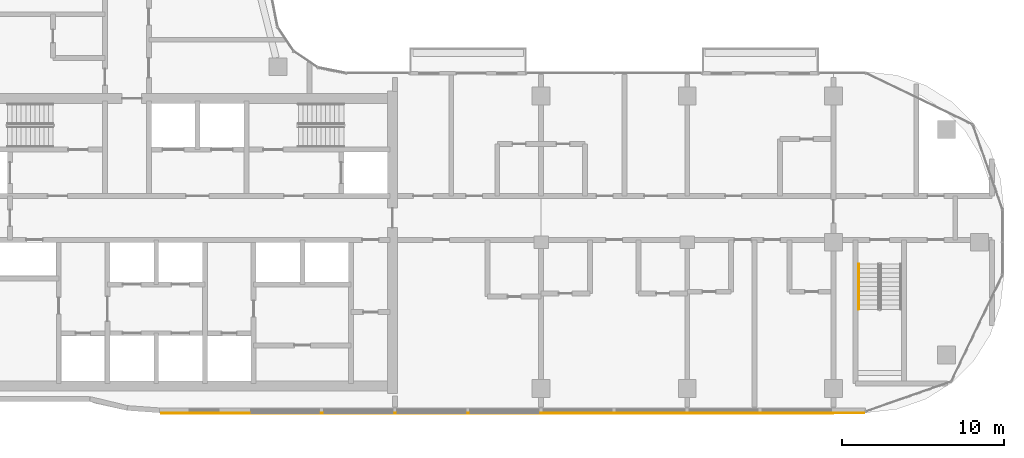
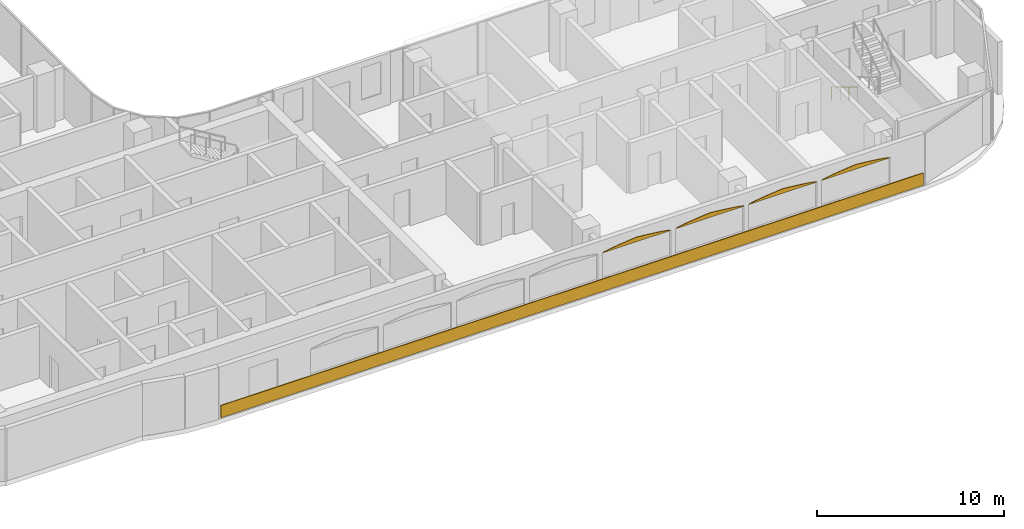
# One storey, part 19 of 22: 5 coverings, 1 railing.
"""IFC4 building model written with IfcOpenShell, lengths in metres."""

import ifcopenshell
import ifcopenshell.guid

model = None  # the IFC model being written
_history = None  # IfcOwnerHistory: only IFC2X3 demands one
_inside = {}  # id of a spatial element -> (the spatial element, [elements in it])
_under = {}  # id of a project, library or spatial element -> (it, [spatial elements below it])
_declared = {}  # id of a project -> (the project, [libraries it declares])
_typed = {}  # id of a type object -> (the type object, [elements of that type])
_made_of = {}  # id of a material, layer set ... -> (it, [elements and type objects made of it])


def new_model(schema):
    """Start an empty IFC model of exactly this schema.

    Asked for "IFC4X3", IfcOpenShell would pick the latest addendum, in which some entities
    have other attributes; the version numbers below select the first issue.
    IFC2X3 requires an IfcOwnerHistory on every rooted entity: one is made here for all.
    """
    global model, _history
    if schema == "IFC4X3":
        model = ifcopenshell.file(schema_version=(4, 3, 0, 0))
    else:
        model = ifcopenshell.file(schema=schema)
    _inside.clear()
    _under.clear()
    _declared.clear()
    _typed.clear()
    _made_of.clear()
    _history = None
    if model.schema == "IFC2X3":
        org = make("IfcOrganization", Name="unknown")
        user = make(
            "IfcPersonAndOrganization",
            ThePerson=make("IfcPerson", FamilyName="unknown"),
            TheOrganization=org,
        )
        app = make(
            "IfcApplication",
            ApplicationDeveloper=org,
            Version="unknown",
            ApplicationFullName="unknown",
            ApplicationIdentifier="unknown",
        )
        _history = make(
            "IfcOwnerHistory",
            OwningUser=user,
            OwningApplication=app,
            ChangeAction="ADDED",
            CreationDate=0,
        )
    return model


def make(cls, **values):
    """One entity of the class cls with the attributes given. An attribute that is None is left unset."""
    return model.create_entity(
        cls, **{name: value for name, value in values.items() if value is not None}
    )


def rooted(cls, **values):
    """An entity with a GlobalId (a new one), such as an element, a storey or a relation."""
    return make(cls, GlobalId=ifcopenshell.guid.new(), OwnerHistory=_history, **values)


def si_unit(unit_type, name, prefix=None):
    """IfcSIUnit, for example si_unit("LENGTHUNIT", "METRE", prefix="MILLI")."""
    return make("IfcSIUnit", UnitType=unit_type, Prefix=prefix, Name=name)


def assignment(units):
    """IfcUnitAssignment: the units of a project."""
    return None if units is None else make("IfcUnitAssignment", Units=units)


def point(xyz):
    """IfcCartesianPoint."""
    return None if xyz is None else make("IfcCartesianPoint", Coordinates=xyz)


def direction(xyz):
    """IfcDirection."""
    return None if xyz is None else make("IfcDirection", DirectionRatios=xyz)


def frame(location, z_axis=None, x_axis=None):
    """IfcAxis2Placement3D, a coordinate frame: its origin and axes. An axis left out is left unset."""
    return make(
        "IfcAxis2Placement3D",
        Location=point(location),
        Axis=direction(z_axis),
        RefDirection=direction(x_axis),
    )


def frame_2d(location, x_axis=None):
    """IfcAxis2Placement2D, a coordinate frame in the plane: its origin and x axis."""
    return make(
        "IfcAxis2Placement2D", Location=point(location), RefDirection=direction(x_axis)
    )


def origin():
    """The frame at (0, 0, 0) with its axes left unset."""
    return frame((0.0, 0.0, 0.0))


def origin_2d():
    """The frame at (0, 0) in the plane with its x axis left unset."""
    return frame_2d((0.0, 0.0))


def place(relative_to, where):
    """IfcLocalPlacement: puts the frame where relative to a parent placement (None: the world)."""
    return make(
        "IfcLocalPlacement", PlacementRelTo=relative_to, RelativePlacement=where
    )


def context(
    kind, dimensions, precision=None, world=None, true_north=None, identifier=None
):
    """IfcGeometricRepresentationContext, for example the 3D "Model" context."""
    return make(
        "IfcGeometricRepresentationContext",
        ContextIdentifier=identifier,
        ContextType=kind,
        CoordinateSpaceDimension=dimensions,
        Precision=precision,
        WorldCoordinateSystem=world,
        TrueNorth=true_north,
    )


def subcontext(parent, identifier, kind, view, scale=None):
    """IfcGeometricRepresentationSubContext, for example "Body" below "Model"."""
    return make(
        "IfcGeometricRepresentationSubContext",
        ContextIdentifier=identifier,
        ContextType=kind,
        ParentContext=parent,
        TargetScale=scale,
        TargetView=view,
    )


def project(units=None, contexts=None):
    """IfcProject with its units and contexts."""
    return rooted(
        "IfcProject",
        Name="project",
        RepresentationContexts=contexts,
        UnitsInContext=assignment(units),
    )


def spatial(cls, under=None, at=None, **own):
    """A site, building, storey or space (cls), placed at a placement, below another one or the project."""
    s = rooted(cls, ObjectPlacement=at, **own)
    if under is not None:
        _under.setdefault(under.id(), (under, []))[1].append(s)
    return s


def polyline(points):
    """IfcPolyline through the points."""
    return make("IfcPolyline", Points=[point(p) for p in points])


def profile(cls, at=None, kind="AREA", **sizes):
    """A parametric profile (cls). Its sizes go by their IFC names, for example OverallWidth=200.0."""
    return make(cls, ProfileType=kind, Position=at, **sizes)


def rectangle(**sizes):
    """IfcRectangleProfileDef."""
    return profile("IfcRectangleProfileDef", **sizes)


def circle(**sizes):
    """IfcCircleProfileDef."""
    return profile("IfcCircleProfileDef", **sizes)


def outline(outer, holes=None, kind="AREA"):
    """IfcArbitraryClosedProfileDef: a profile drawn as a closed curve; with holes, ...WithVoids."""
    if holes is None:
        return make("IfcArbitraryClosedProfileDef", ProfileType=kind, OuterCurve=outer)
    return make(
        "IfcArbitraryProfileDefWithVoids",
        ProfileType=kind,
        OuterCurve=outer,
        InnerCurves=holes,
    )


def extrude(swept, where, along, depth):
    """IfcExtrudedAreaSolid: the profile swept, set in the frame where, extruded along a direction by depth."""
    return make(
        "IfcExtrudedAreaSolid",
        SweptArea=swept,
        Position=where,
        ExtrudedDirection=direction(along),
        Depth=depth,
    )


def shape(context_of_items, identifier, shape_type, items):
    """IfcShapeRepresentation: the items that make up one representation, for example the "Body"."""
    return make(
        "IfcShapeRepresentation",
        ContextOfItems=context_of_items,
        RepresentationIdentifier=identifier,
        RepresentationType=shape_type,
        Items=items,
    )


def material(Name=None, Category=None):
    """IfcMaterial."""
    return make("IfcMaterial", Name=Name, Category=Category)


def layer(
    of_material, thickness, ventilated=None, Name=None, Category=None, Priority=None
):
    """IfcMaterialLayer: one layer of a wall or slab, of a material (None: an air gap)."""
    return make(
        "IfcMaterialLayer",
        Material=of_material,
        LayerThickness=thickness,
        IsVentilated=ventilated,
        Name=Name,
        Category=Category,
        Priority=Priority,
    )


def layer_set(layers, Name=None):
    """IfcMaterialLayerSet."""
    return make("IfcMaterialLayerSet", MaterialLayers=layers, LayerSetName=Name)


def made_of(thing, what):
    """Note that an element or type object is made of a material, layer set ...; save() writes the relation."""
    if what is not None:
        _made_of.setdefault(what.id(), (what, []))[1].append(thing)
    return thing


def type_object(cls, material=None, **own):
    """A type object (cls), such as IfcWallType, which elements share."""
    return made_of(rooted(cls, **own), material)


def element(
    cls,
    number,
    at=None,
    inside=None,
    cuts=None,
    type_object=None,
    material=None,
    context=None,
    identifier="Body",
    shape_type=None,
    held_by="IfcProductDefinitionShape",
    body=None,
    shapes=None,
    **own,
):
    """One element of the class cls, such as IfcWall. Its Tag is "e" and its number.

    at: its placement. inside: the storey or other place that contains it. cuts: it is an
    opening in that element (IfcRelVoidsElement). A single representation is given by context,
    identifier, shape_type and body (its items); several are given by shapes. held_by: the class
    of the entity that holds the representations. save() writes the other relations.
    """
    e = rooted(cls, Tag="e%d" % number, ObjectPlacement=at, **own)
    if body is not None:
        shapes = [shape(context, identifier, shape_type, body)]
    if shapes is not None:
        e.Representation = make(held_by, Representations=shapes)
    if inside is not None:
        _inside.setdefault(inside.id(), (inside, []))[1].append(e)
    if cuts is not None:
        rooted(
            "IfcRelVoidsElement", RelatingBuildingElement=cuts, RelatedOpeningElement=e
        )
    if type_object is not None:
        _typed.setdefault(type_object.id(), (type_object, []))[1].append(e)
    return made_of(e, material)


def aggregate(whole, parts):
    """IfcRelAggregates: a whole, such as a stair, and the parts it consists of."""
    return rooted("IfcRelAggregates", RelatingObject=whole, RelatedObjects=parts)


def save(model, path):
    """Write the relations noted so far, then the file.

    IfcRelAggregates (storeys below a building ...), IfcRelContainedInSpatialStructure (elements
    in a storey), IfcRelDefinesByType, IfcRelAssociatesMaterial and IfcRelDeclares: one each for
    every whole, place, type object, material and project.
    """
    for whole, parts in _under.values():
        aggregate(whole, parts)
    for where, things in _inside.values():
        rooted(
            "IfcRelContainedInSpatialStructure",
            RelatedElements=things,
            RelatingStructure=where,
        )
    for kind, things in _typed.values():
        rooted("IfcRelDefinesByType", RelatedObjects=things, RelatingType=kind)
    for what, things in _made_of.values():
        rooted("IfcRelAssociatesMaterial", RelatedObjects=things, RelatingMaterial=what)
    for by, libraries in _declared.values():
        rooted("IfcRelDeclares", RelatingContext=by, RelatedDefinitions=libraries)
    model.write(path)


model = new_model("IFC4")

# Units and contexts
model_context = context("Model", 3, precision=1e-05, world=origin(), true_north=direction((0.0, 1.0)))
body_context = subcontext(model_context, "Body", "Model", "MODEL_VIEW")
ifc_project = project(units=[si_unit("LENGTHUNIT", "METRE"), si_unit("AREAUNIT", "SQUARE_METRE"), si_unit("VOLUMEUNIT", "CUBIC_METRE"), si_unit("PLANEANGLEUNIT", "RADIAN"), si_unit("MASSUNIT", "GRAM", prefix="KILO")], contexts=[model_context])

# Site, building, storey
site_placement = place(None, origin())
site = spatial("IfcSite", under=ifc_project, at=site_placement, CompositionType="ELEMENT")
building_placement = place(site_placement, origin())
building = spatial("IfcBuilding", under=site, at=building_placement, Name="Ogive Portal Towers", CompositionType="ELEMENT")
storey_placement = place(building_placement, frame((0.0, 0.0, 145.89990234375)))
storey = spatial("IfcBuildingStorey", under=building, at=storey_placement, Name="L35", CompositionType="ELEMENT", Elevation=145.89990234375)

# Railing
ifc_material_1 = material(Name="Stainless steel handrail", Category="steel")
railing_type = type_object("IfcRailingType", Name="INT-HANDRAIL", PredefinedType="HANDRAIL", material=ifc_material_1)
railing_placement = place(storey_placement, frame((87.050048828125, 29.169921875, 0.168212890625)))
element("IfcRailing", 1, at=railing_placement, inside=storey, type_object=railing_type, Name="L35 ST-A4 stair handrail 1", PredefinedType="HANDRAIL", context=body_context, shape_type="SweptSolid", body=[
    extrude(circle(Radius=0.02392578125, at=origin_2d()), frame((0.0, 0.0, 0.8759765625), z_axis=(0.0, -0.857222391501, 0.514946377315), x_axis=(1.0, 0.0, 0.0)), (0.0, 0.0, 1.0), 3.26611328125),
    extrude(circle(Radius=0.02099609375, at=origin_2d()), origin(), (0.0, 0.0, 1.0), 0.851806640625),
    extrude(circle(Radius=0.02099609375, at=origin_2d()), frame((0.0, -0.933349609375, 0.560546875)), (0.0, 0.0, 1.0), 0.851806640625),
    extrude(circle(Radius=0.02099609375, at=origin_2d()), frame((0.0, -1.866455078125, 1.121337890625)), (0.0, 0.0, 1.0), 0.851806640625),
    extrude(circle(Radius=0.02099609375, at=origin_2d()), frame((0.0, -2.7998046875, 1.681884765625)), (0.0, 0.0, 1.0), 0.851806640625),
])

# Coverings
ifc_material_2 = material(Name="Limestone cladding on lightweight block wall", Category="masonry")
ifc_layer_1 = layer(ifc_material_2, 0.0400390625)
ifc_layer_set_1 = layer_set([ifc_layer_1], Name="LANCET HEAD STONE")
covering_type_1 = type_object("IfcCoveringType", Name="LANCET HEAD STONE", PredefinedType="CLADDING", material=ifc_layer_set_1)
for number, where, z_axis, x_axis, name in (
    (2, (67.64990234375, 20.0, 2.60009765625), (0.0, 0.999948944021, 0.010104917167), (1.0, 0.0, 0.0), "Lancet head"),
    (3, (72.14990234375, 20.0, 2.60009765625), (0.0, 0.999948944021, 0.010104917167), (1.0, 0.0, 0.0), "Lancet head"),
    (4, (76.64990234375, 20.0, 2.60009765625), (0.0, 0.999948944021, 0.010104917167), (1.0, 0.0, 0.0), "Lancet head"),
    (5, (81.14990234375, 20.0, 2.60009765625), (0.0, 0.999948944021, 0.010104917167), (1.0, 0.0, 0.0), "Lancet head"),
):
    element("IfcCovering", number, at=place(storey_placement, frame(where, z_axis=z_axis, x_axis=x_axis)), inside=storey, type_object=covering_type_1, Name=name, PredefinedType="CLADDING", context=body_context, shape_type="SweptSolid", body=[
        extrude(outline(polyline([(0.0, 0.0), (4.2001953125, 0.0), (4.107177734375, -0.03760067070644378), (3.9375, -0.07495474623193346), (3.7177734375, -0.11255541693837724), (3.45751953125, -0.14990949246386692), (3.162353515625, -0.1875101631703107), (2.836181640625, -0.2251083668559618), (2.481201171875, -0.26246490940224415), (2.10009765625, -0.30006311308789524), (1.718994140625, -0.26246490940224415), (1.364013671875, -0.2251083668559618), (1.037841796875, -0.1875101631703107), (0.74267578125, -0.14990949246386692), (0.482421875, -0.11255541693837724), (0.2626953125, -0.07495474623193346), (0.093017578125, -0.03760067070644378), (0.0, 0.0)])), origin(), (0.0, 0.0, -1.0), 0.0400390625),
    ])
ifc_layer_2 = layer(ifc_material_2, 0.050048828125)
ifc_layer_set_2 = layer_set([ifc_layer_2], Name="SCREEN PERFORATED STONE")
covering_type_2 = type_object("IfcCoveringType", Name="SCREEN PERFORATED STONE", PredefinedType="CLADDING", material=ifc_layer_set_2)
covering_placement = place(storey_placement, frame((65.74853515625, 19.97509765625, 0.10009765625), z_axis=(0.0, 0.0, 1.0), x_axis=(1.0, 0.0, 0.0)))
element("IfcCovering", 6, at=covering_placement, inside=storey, type_object=covering_type_2, Name="Tracery screen", PredefinedType="CLADDING", context=body_context, shape_type="SweptSolid", body=[
    extrude(rectangle(XDim=43.275634765625, YDim=0.050048828125, at=origin_2d()), origin(), (0.0, 0.0, 1.0), 0.800048828125),
])

save(model, "model.ifc")
